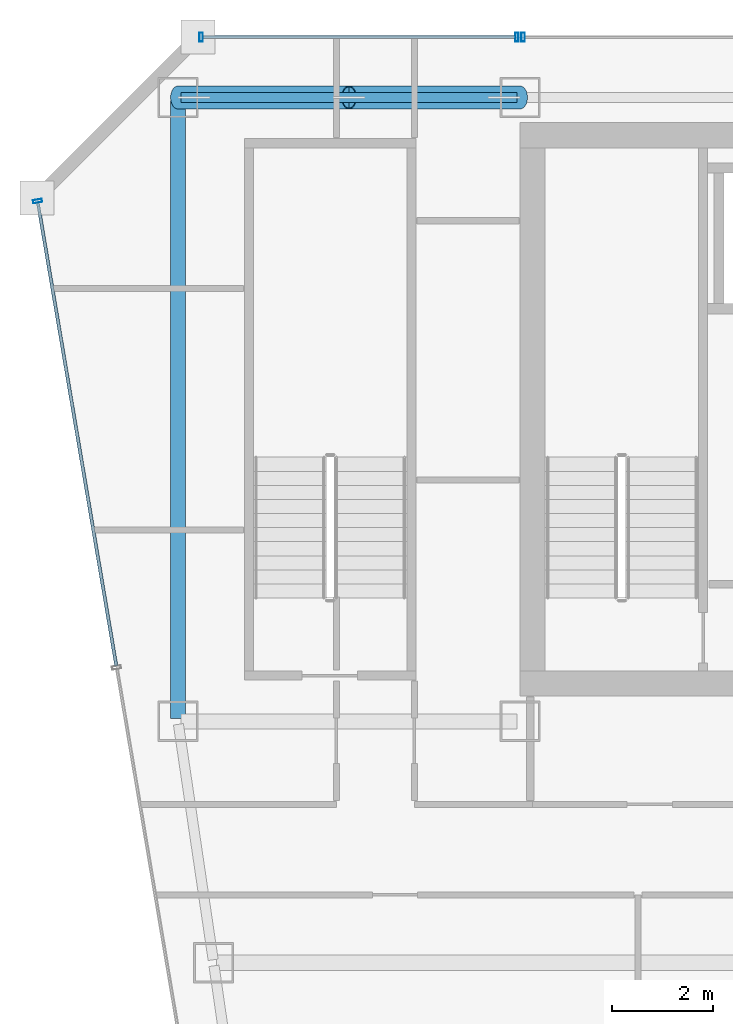
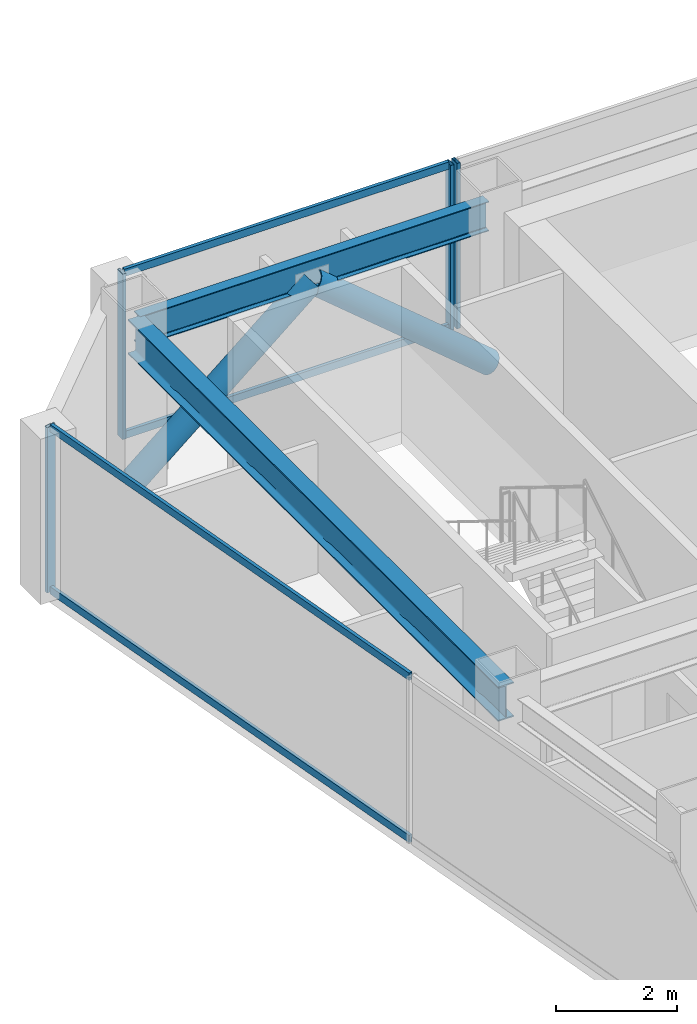
# One storey, part 21 of 34: 10 members, 2 beams, 3 elements without a shape of their own.
"""IFC4 building model written with IfcOpenShell, lengths in metres."""

from ifc_helpers import new_model, si_unit, direction, frame, origin, origin_2d, place, context, subcontext, project, spatial, hollow_rectangle, hollow_circle, i_section, extrude, material, material_profile, profile_set, type_object, element, aggregate, save


model = new_model("IFC4")

# Units and contexts
model_context = context("Model", 3, precision=1e-05, world=origin(), true_north=direction((0.0, 1.0)))
body_context = subcontext(model_context, "Body", "Model", "MODEL_VIEW")
ifc_project = project(units=[si_unit("LENGTHUNIT", "METRE"), si_unit("AREAUNIT", "SQUARE_METRE"), si_unit("VOLUMEUNIT", "CUBIC_METRE"), si_unit("PLANEANGLEUNIT", "RADIAN"), si_unit("MASSUNIT", "GRAM", prefix="KILO")], contexts=[model_context])

# Site, building, storey
site_placement = place(None, origin())
site = spatial("IfcSite", under=ifc_project, at=site_placement, CompositionType="ELEMENT")
building_placement = place(site_placement, origin())
building = spatial("IfcBuilding", under=site, at=building_placement, Name="Saevonmaru Cultural Tower", CompositionType="ELEMENT")
storey_placement = place(building_placement, frame((0.0, 0.0, 220.800048828125)))
storey = spatial("IfcBuildingStorey", under=building, at=storey_placement, Name="L51", CompositionType="ELEMENT", Elevation=220.800048828125)

# Beams
ifc_material_1 = material(Name="Steel SM355", Category="steel")
ifc_material_profile_1 = material_profile(ifc_material_1, i_section(OverallWidth=0.300048828125, OverallDepth=0.699951171875, WebThickness=0.012939453125, FlangeThickness=0.02392578125, FilletRadius=0.02587890625, at=origin_2d()), Name="H-700x300x13x24")
ifc_profile_set_1 = profile_set([ifc_material_profile_1], Name="Steel SM355")
beam_type_1 = type_object("IfcBeamType", Name="BM-G-H700", PredefinedType="BEAM", material=ifc_profile_set_1)
beam_1_placement = place(storey_placement, frame((6.800048828125, 54.739990234375, 3.0), z_axis=(0.0, -1.0, 0.0), x_axis=(1.0, 0.0, 0.0)))
element("IfcBeam", 1, at=beam_1_placement, inside=storey, type_object=beam_type_1, Name="L51 Spine Transverse Girder W", PredefinedType="BEAM", context=body_context, shape_type="SweptSolid", body=[
    extrude(i_section(OverallWidth=0.300048828125, OverallDepth=0.699951171875, WebThickness=0.012939453125, FlangeThickness=0.02392578125, FilletRadius=0.02587890625, at=origin_2d()), origin(), (0.0, 0.0, 1.0), 12.280029296875),
])
ifc_material_profile_2 = material_profile(ifc_material_1, i_section(OverallWidth=0.199951171875, OverallDepth=0.60009765625, WebThickness=0.010986328125, FlangeThickness=0.01708984375, FilletRadius=0.02197265625, at=origin_2d()), Name="H-600x200x11x17")
ifc_profile_set_2 = profile_set([ifc_material_profile_2], Name="Steel SM355")
beam_type_2 = type_object("IfcBeamType", Name="BM-SP-H600", PredefinedType="SPANDREL", material=ifc_profile_set_2)
beam_2_placement = place(storey_placement, frame((6.860107421875, 54.800048828125, 3.050048828125), z_axis=(1.0, 0.0, 0.0), x_axis=(0.0, 1.0, 0.0)))
element("IfcBeam", 2, at=beam_2_placement, inside=storey, type_object=beam_type_2, Name="L51 North Spine Girder 1", PredefinedType="SPANDREL", context=body_context, shape_type="SweptSolid", body=[
    extrude(i_section(OverallWidth=0.199951171875, OverallDepth=0.60009765625, WebThickness=0.010986328125, FlangeThickness=0.01708984375, FilletRadius=0.02197265625, at=origin_2d()), origin(), (0.0, 0.0, 1.0), 6.679931640625),
])

# Members
ifc_material_2 = material(Name="Steel SM420", Category="steel")
ifc_material_profile_3 = material_profile(ifc_material_2, hollow_circle(Radius=0.228515625, WallThickness=0.02001953125, at=origin_2d()), Name="CHS-457.2x20")
ifc_profile_set_3 = profile_set([ifc_material_profile_3], Name="Steel SM420")
member_type_1 = type_object("IfcMemberType", Name="MB-PBR-CHS457", PredefinedType="BRACE", material=ifc_profile_set_3)
member_1_placement = place(storey_placement, frame((6.800048828125, 54.800048828125, 0.02001953125), z_axis=(0.7663776857, 0.0, 0.642390257445), x_axis=(0.0, 1.0, 0.0)))
element("IfcMember", 3, at=member_1_placement, inside=storey, type_object=member_type_1, Name="L51 Perimeter Braced-Tube Diagonal WN1", PredefinedType="BRACE", context=body_context, shape_type="SweptSolid", body=[
    extrude(hollow_circle(Radius=0.228515625, WallThickness=0.02001953125, at=origin_2d()), origin(), (0.0, 0.0, 1.0), 4.436279296875),
])
member_2_placement = place(storey_placement, frame((13.60009765625, 54.800048828125, 0.02001953125), z_axis=(-0.766400394118, 0.0, 0.642363165114), x_axis=(0.0, -1.0, 0.0)))
element("IfcMember", 4, at=member_2_placement, inside=storey, type_object=member_type_1, Name="L51 Perimeter Braced-Tube Diagonal WN2", PredefinedType="BRACE", context=body_context, shape_type="SweptSolid", body=[
    extrude(hollow_circle(Radius=0.228515625, WallThickness=0.02001953125, at=origin_2d()), origin(), (0.0, 0.0, 1.0), 4.4365234375),
])

# Curtain wall, member
ifc_material_3 = material(Name="Satin Bronze Anodised Aluminium", Category="aluminium")
curtain_wall_type = type_object("IfcCurtainWallType", Name="CW-TYP-B", PredefinedType="NOTDEFINED", material=ifc_material_3)
curtain_wall_1_placement = place(storey_placement, origin())
curtain_wall_1 = element("IfcCurtainWall", 5, at=curtain_wall_1_placement, inside=storey, type_object=curtain_wall_type, Name="L51 North Spine Unitised Curtain Wall E10B", PredefinedType="NOTDEFINED")
ifc_material_profile_4 = material_profile(ifc_material_3, hollow_rectangle(XDim=0.06494140625, YDim=0.179931640625, WallThickness=0.00390625, at=origin_2d()), Name="ALU-MULL-180x65x4")
ifc_profile_set_4 = profile_set([ifc_material_profile_4], Name="Satin Bronze Anodised Aluminium")
member_type_2 = type_object("IfcMemberType", Name="ML-CW-180x65", PredefinedType="MULLION", material=ifc_profile_set_4)
member_3_placement = place(storey_placement, frame((13.659912109375, 56.0, 0.0), z_axis=(0.0, 0.0, 1.0), x_axis=(-1.0, 0.0, 0.0)))
member_3 = element("IfcMember", 6, at=member_3_placement, type_object=member_type_2, Name="CW-TW-L51-E10B mullion 4", PredefinedType="MULLION", context=body_context, shape_type="SweptSolid", body=[
    extrude(hollow_rectangle(XDim=0.06494140625, YDim=0.179931640625, WallThickness=0.00390625, at=origin_2d()), origin(), (0.0, 0.0, 1.0), 3.349853515625),
])
aggregate(curtain_wall_1, [member_3])

# Curtain wall, members
curtain_wall_2_placement = place(storey_placement, origin())
curtain_wall_2 = element("IfcCurtainWall", 7, at=curtain_wall_2_placement, inside=storey, type_object=curtain_wall_type, Name="L51 West Braced Bay Spandrel Curtain Wall E10C", PredefinedType="NOTDEFINED")
member_4_placement = place(storey_placement, frame((13.5400390625, 56.0, 0.0), z_axis=(0.0, 0.0, 1.0), x_axis=(-1.0, 0.0, 0.0)))
member_4 = element("IfcMember", 8, at=member_4_placement, type_object=member_type_2, Name="CW-TW-L51-E10C mullion 1", PredefinedType="MULLION", context=body_context, shape_type="SweptSolid", body=[
    extrude(hollow_rectangle(XDim=0.06494140625, YDim=0.179931640625, WallThickness=0.00390625, at=origin_2d()), origin(), (0.0, 0.0, 1.0), 3.349853515625),
])
member_5_placement = place(storey_placement, frame((7.260009765625, 56.0, 0.0), z_axis=(0.0, 0.0, 1.0), x_axis=(-1.0, 0.0, 0.0)))
member_5 = element("IfcMember", 9, at=member_5_placement, type_object=member_type_2, Name="CW-TW-L51-E10C mullion 2", PredefinedType="MULLION", context=body_context, shape_type="SweptSolid", body=[
    extrude(hollow_rectangle(XDim=0.06494140625, YDim=0.179931640625, WallThickness=0.00390625, at=origin_2d()), origin(), (0.0, 0.0, 1.0), 3.349853515625),
])

# Curtain wall, member
curtain_wall_3_placement = place(storey_placement, origin())
curtain_wall_3 = element("IfcCurtainWall", 10, at=curtain_wall_3_placement, inside=storey, type_object=curtain_wall_type, Name="L51 Unitised Curtain Wall E12", PredefinedType="NOTDEFINED")
member_6_placement = place(storey_placement, frame((4.010009765625, 52.74072265625, 0.0), z_axis=(0.0, 0.0, 1.0), x_axis=(0.16692169721, -0.985970155228, 0.0)))
member_6 = element("IfcMember", 11, at=member_6_placement, type_object=member_type_2, Name="CW-TW-L51-E12 mullion 1", PredefinedType="MULLION", context=body_context, shape_type="SweptSolid", body=[
    extrude(hollow_rectangle(XDim=0.06494140625, YDim=0.179931640625, WallThickness=0.00390625, at=origin_2d()), origin(), (0.0, 0.0, 1.0), 3.349853515625),
])

# Member
ifc_material_profile_5 = material_profile(ifc_material_3, hollow_rectangle(XDim=0.06494140625, YDim=0.14990234375, WallThickness=0.00390625, at=origin_2d()), Name="ALU-TRAN-150x65x4")
ifc_profile_set_5 = profile_set([ifc_material_profile_5], Name="Satin Bronze Anodised Aluminium")
member_type_3 = type_object("IfcMemberType", Name="TR-CW-150x65", PredefinedType="USERDEFINED", material=ifc_profile_set_5)
member_7_placement = place(storey_placement, frame((13.507568359375, 56.0, 0.032470703125), z_axis=(-1.0, 0.0, 0.0), x_axis=(0.0, -1.0, 0.0)))
member_7 = element("IfcMember", 12, at=member_7_placement, type_object=member_type_3, Name="CW-TW-L51-E10C transom 1.1", ObjectType="TRANSOM", PredefinedType="USERDEFINED", context=body_context, shape_type="SweptSolid", body=[
    extrude(hollow_rectangle(XDim=0.06494140625, YDim=0.14990234375, WallThickness=0.00390625, at=origin_2d()), origin(), (0.0, 0.0, 1.0), 6.215087890625),
])

member_8_placement = place(storey_placement, frame((13.507568359375, 56.0, 3.3173828125), z_axis=(-1.0, 0.0, 0.0), x_axis=(0.0, -1.0, 0.0)))
member_8 = element("IfcMember", 13, at=member_8_placement, type_object=member_type_3, Name="CW-TW-L51-E10C transom 1.2", ObjectType="TRANSOM", PredefinedType="USERDEFINED", context=body_context, shape_type="SweptSolid", body=[
    extrude(hollow_rectangle(XDim=0.06494140625, YDim=0.14990234375, WallThickness=0.00390625, at=origin_2d()), origin(), (0.0, 0.0, 1.0), 6.215087890625),
])

aggregate(curtain_wall_2, [member_4, member_5, member_7, member_8])

member_9_placement = place(storey_placement, frame((4.015380859375, 52.708740234375, 0.032470703125), z_axis=(0.166921263871, -0.985970228591, 0.0), x_axis=(0.985970228591, 0.166921263871, 0.0)))
member_9 = element("IfcMember", 14, at=member_9_placement, type_object=member_type_3, Name="CW-TW-L51-E12 transom 1.1", ObjectType="TRANSOM", PredefinedType="USERDEFINED", context=body_context, shape_type="SweptSolid", body=[
    extrude(hollow_rectangle(XDim=0.06494140625, YDim=0.14990234375, WallThickness=0.00390625, at=origin_2d()), origin(), (0.0, 0.0, 1.0), 9.33740234375),
])

member_10_placement = place(storey_placement, frame((4.015380859375, 52.708740234375, 3.3173828125), z_axis=(0.166921263871, -0.985970228591, 0.0), x_axis=(0.985970228591, 0.166921263871, 0.0)))
member_10 = element("IfcMember", 15, at=member_10_placement, type_object=member_type_3, Name="CW-TW-L51-E12 transom 1.2", ObjectType="TRANSOM", PredefinedType="USERDEFINED", context=body_context, shape_type="SweptSolid", body=[
    extrude(hollow_rectangle(XDim=0.06494140625, YDim=0.14990234375, WallThickness=0.00390625, at=origin_2d()), origin(), (0.0, 0.0, 1.0), 9.33740234375),
])

aggregate(curtain_wall_3, [member_6, member_9, member_10])

save(model, "model.ifc")
